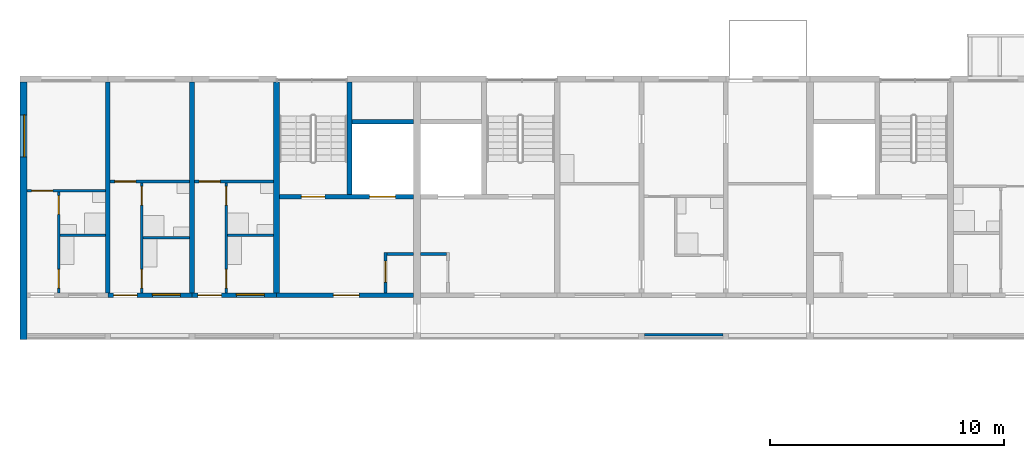
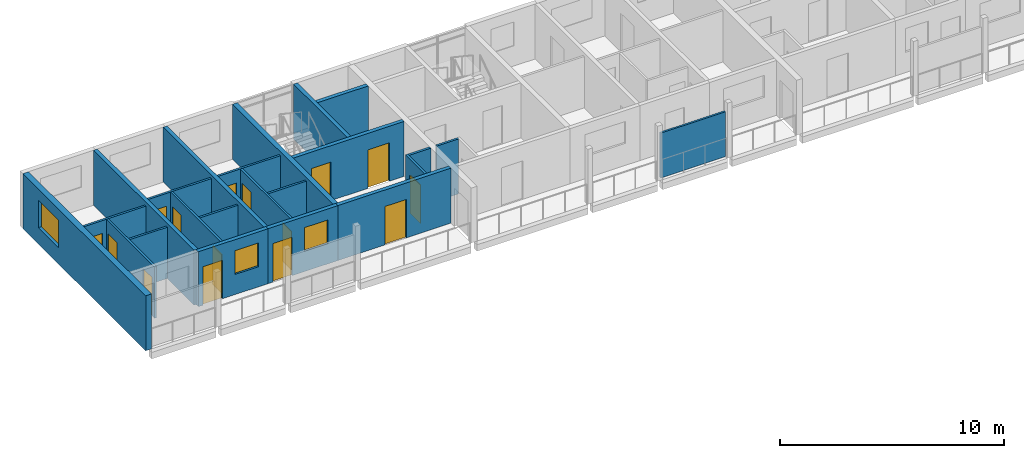
# One storey, part 35 of 98: 23 walls, 15 doors, 3 windows, 18 openings.
"""IFC4 building model written with IfcOpenShell, lengths in metres."""

import ifcopenshell
import ifcopenshell.guid

model = None  # the IFC model being written
_history = None  # IfcOwnerHistory: only IFC2X3 demands one
_inside = {}  # id of a spatial element -> (the spatial element, [elements in it])
_under = {}  # id of a project, library or spatial element -> (it, [spatial elements below it])
_declared = {}  # id of a project -> (the project, [libraries it declares])
_typed = {}  # id of a type object -> (the type object, [elements of that type])
_made_of = {}  # id of a material, layer set ... -> (it, [elements and type objects made of it])


def new_model(schema):
    """Start an empty IFC model of exactly this schema.

    Asked for "IFC4X3", IfcOpenShell would pick the latest addendum, in which some entities
    have other attributes; the version numbers below select the first issue.
    IFC2X3 requires an IfcOwnerHistory on every rooted entity: one is made here for all.
    """
    global model, _history
    if schema == "IFC4X3":
        model = ifcopenshell.file(schema_version=(4, 3, 0, 0))
    else:
        model = ifcopenshell.file(schema=schema)
    _inside.clear()
    _under.clear()
    _declared.clear()
    _typed.clear()
    _made_of.clear()
    _history = None
    if model.schema == "IFC2X3":
        org = make("IfcOrganization", Name="unknown")
        user = make(
            "IfcPersonAndOrganization",
            ThePerson=make("IfcPerson", FamilyName="unknown"),
            TheOrganization=org,
        )
        app = make(
            "IfcApplication",
            ApplicationDeveloper=org,
            Version="unknown",
            ApplicationFullName="unknown",
            ApplicationIdentifier="unknown",
        )
        _history = make(
            "IfcOwnerHistory",
            OwningUser=user,
            OwningApplication=app,
            ChangeAction="ADDED",
            CreationDate=0,
        )
    return model


def make(cls, **values):
    """One entity of the class cls with the attributes given. An attribute that is None is left unset."""
    return model.create_entity(
        cls, **{name: value for name, value in values.items() if value is not None}
    )


def rooted(cls, **values):
    """An entity with a GlobalId (a new one), such as an element, a storey or a relation."""
    return make(cls, GlobalId=ifcopenshell.guid.new(), OwnerHistory=_history, **values)


def si_unit(unit_type, name, prefix=None):
    """IfcSIUnit, for example si_unit("LENGTHUNIT", "METRE", prefix="MILLI")."""
    return make("IfcSIUnit", UnitType=unit_type, Prefix=prefix, Name=name)


def assignment(units):
    """IfcUnitAssignment: the units of a project."""
    return None if units is None else make("IfcUnitAssignment", Units=units)


def point(xyz):
    """IfcCartesianPoint."""
    return None if xyz is None else make("IfcCartesianPoint", Coordinates=xyz)


def direction(xyz):
    """IfcDirection."""
    return None if xyz is None else make("IfcDirection", DirectionRatios=xyz)


def frame(location, z_axis=None, x_axis=None):
    """IfcAxis2Placement3D, a coordinate frame: its origin and axes. An axis left out is left unset."""
    return make(
        "IfcAxis2Placement3D",
        Location=point(location),
        Axis=direction(z_axis),
        RefDirection=direction(x_axis),
    )


def frame_2d(location, x_axis=None):
    """IfcAxis2Placement2D, a coordinate frame in the plane: its origin and x axis."""
    return make(
        "IfcAxis2Placement2D", Location=point(location), RefDirection=direction(x_axis)
    )


def origin():
    """The frame at (0, 0, 0) with its axes left unset."""
    return frame((0.0, 0.0, 0.0))


def place(relative_to, where):
    """IfcLocalPlacement: puts the frame where relative to a parent placement (None: the world)."""
    return make(
        "IfcLocalPlacement", PlacementRelTo=relative_to, RelativePlacement=where
    )


def context(
    kind, dimensions, precision=None, world=None, true_north=None, identifier=None
):
    """IfcGeometricRepresentationContext, for example the 3D "Model" context."""
    return make(
        "IfcGeometricRepresentationContext",
        ContextIdentifier=identifier,
        ContextType=kind,
        CoordinateSpaceDimension=dimensions,
        Precision=precision,
        WorldCoordinateSystem=world,
        TrueNorth=true_north,
    )


def subcontext(parent, identifier, kind, view, scale=None):
    """IfcGeometricRepresentationSubContext, for example "Body" below "Model"."""
    return make(
        "IfcGeometricRepresentationSubContext",
        ContextIdentifier=identifier,
        ContextType=kind,
        ParentContext=parent,
        TargetScale=scale,
        TargetView=view,
    )


def project(units=None, contexts=None):
    """IfcProject with its units and contexts."""
    return rooted(
        "IfcProject",
        Name="project",
        RepresentationContexts=contexts,
        UnitsInContext=assignment(units),
    )


def spatial(cls, under=None, at=None, **own):
    """A site, building, storey or space (cls), placed at a placement, below another one or the project."""
    s = rooted(cls, ObjectPlacement=at, **own)
    if under is not None:
        _under.setdefault(under.id(), (under, []))[1].append(s)
    return s


def profile(cls, at=None, kind="AREA", **sizes):
    """A parametric profile (cls). Its sizes go by their IFC names, for example OverallWidth=200.0."""
    return make(cls, ProfileType=kind, Position=at, **sizes)


def rectangle(**sizes):
    """IfcRectangleProfileDef."""
    return profile("IfcRectangleProfileDef", **sizes)


def extrude(swept, where, along, depth):
    """IfcExtrudedAreaSolid: the profile swept, set in the frame where, extruded along a direction by depth."""
    return make(
        "IfcExtrudedAreaSolid",
        SweptArea=swept,
        Position=where,
        ExtrudedDirection=direction(along),
        Depth=depth,
    )


def shape(context_of_items, identifier, shape_type, items):
    """IfcShapeRepresentation: the items that make up one representation, for example the "Body"."""
    return make(
        "IfcShapeRepresentation",
        ContextOfItems=context_of_items,
        RepresentationIdentifier=identifier,
        RepresentationType=shape_type,
        Items=items,
    )


def material(Name=None, Category=None):
    """IfcMaterial."""
    return make("IfcMaterial", Name=Name, Category=Category)


def layer(
    of_material, thickness, ventilated=None, Name=None, Category=None, Priority=None
):
    """IfcMaterialLayer: one layer of a wall or slab, of a material (None: an air gap)."""
    return make(
        "IfcMaterialLayer",
        Material=of_material,
        LayerThickness=thickness,
        IsVentilated=ventilated,
        Name=Name,
        Category=Category,
        Priority=Priority,
    )


def layer_set(layers, Name=None):
    """IfcMaterialLayerSet."""
    return make("IfcMaterialLayerSet", MaterialLayers=layers, LayerSetName=Name)


def made_of(thing, what):
    """Note that an element or type object is made of a material, layer set ...; save() writes the relation."""
    if what is not None:
        _made_of.setdefault(what.id(), (what, []))[1].append(thing)
    return thing


def type_object(cls, material=None, **own):
    """A type object (cls), such as IfcWallType, which elements share."""
    return made_of(rooted(cls, **own), material)


def element(
    cls,
    number,
    at=None,
    inside=None,
    cuts=None,
    type_object=None,
    material=None,
    context=None,
    identifier="Body",
    shape_type=None,
    held_by="IfcProductDefinitionShape",
    body=None,
    shapes=None,
    **own,
):
    """One element of the class cls, such as IfcWall. Its Tag is "e" and its number.

    at: its placement. inside: the storey or other place that contains it. cuts: it is an
    opening in that element (IfcRelVoidsElement). A single representation is given by context,
    identifier, shape_type and body (its items); several are given by shapes. held_by: the class
    of the entity that holds the representations. save() writes the other relations.
    """
    e = rooted(cls, Tag="e%d" % number, ObjectPlacement=at, **own)
    if body is not None:
        shapes = [shape(context, identifier, shape_type, body)]
    if shapes is not None:
        e.Representation = make(held_by, Representations=shapes)
    if inside is not None:
        _inside.setdefault(inside.id(), (inside, []))[1].append(e)
    if cuts is not None:
        rooted(
            "IfcRelVoidsElement", RelatingBuildingElement=cuts, RelatedOpeningElement=e
        )
    if type_object is not None:
        _typed.setdefault(type_object.id(), (type_object, []))[1].append(e)
    return made_of(e, material)


def fill(opening, filler):
    """IfcRelFillsElement: the door or window that sits in an opening."""
    return rooted(
        "IfcRelFillsElement",
        RelatingOpeningElement=opening,
        RelatedBuildingElement=filler,
    )


def aggregate(whole, parts):
    """IfcRelAggregates: a whole, such as a stair, and the parts it consists of."""
    return rooted("IfcRelAggregates", RelatingObject=whole, RelatedObjects=parts)


def save(model, path):
    """Write the relations noted so far, then the file.

    IfcRelAggregates (storeys below a building ...), IfcRelContainedInSpatialStructure (elements
    in a storey), IfcRelDefinesByType, IfcRelAssociatesMaterial and IfcRelDeclares: one each for
    every whole, place, type object, material and project.
    """
    for whole, parts in _under.values():
        aggregate(whole, parts)
    for where, things in _inside.values():
        rooted(
            "IfcRelContainedInSpatialStructure",
            RelatedElements=things,
            RelatingStructure=where,
        )
    for kind, things in _typed.values():
        rooted("IfcRelDefinesByType", RelatedObjects=things, RelatingType=kind)
    for what, things in _made_of.values():
        rooted("IfcRelAssociatesMaterial", RelatedObjects=things, RelatingMaterial=what)
    for by, libraries in _declared.values():
        rooted("IfcRelDeclares", RelatingContext=by, RelatedDefinitions=libraries)
    model.write(path)


model = new_model("IFC4")

# Units and contexts
model_context = context("Model", 3, precision=1e-05, world=origin(), true_north=direction((0.0, 1.0)))
body_context = subcontext(model_context, "Body", "Model", "MODEL_VIEW")
ifc_project = project(units=[si_unit("LENGTHUNIT", "METRE"), si_unit("AREAUNIT", "SQUARE_METRE"), si_unit("VOLUMEUNIT", "CUBIC_METRE"), si_unit("PLANEANGLEUNIT", "RADIAN"), si_unit("MASSUNIT", "GRAM", prefix="KILO")], contexts=[model_context])

# Site, building, storey
site_placement = place(None, origin())
site = spatial("IfcSite", under=ifc_project, at=site_placement, CompositionType="ELEMENT")
building_placement = place(site_placement, origin())
building = spatial("IfcBuilding", under=site, at=building_placement, Name="Ridgestep Commons", CompositionType="ELEMENT")
storey_placement = place(building_placement, frame((0.0, 0.0, 12.0)))
storey = spatial("IfcBuildingStorey", under=building, at=storey_placement, Name="L04", CompositionType="ELEMENT", Elevation=12.0)

# Wall
ifc_material_1 = material(Name="Concrete C30/37", Category="concrete")
ifc_layer_1 = layer(ifc_material_1, 0.25)
ifc_layer_set_1 = layer_set([ifc_layer_1], Name="Core cross wall 250")
wall_type_1 = type_object("IfcWallType", Name="Core cross wall 250", PredefinedType="SHEAR", material=ifc_layer_set_1)
wall_1_placement = place(storey_placement, frame((22.800048828125, 68.0, 0.0), z_axis=(0.0, 0.0, 1.0), x_axis=(0.0, 1.0, 0.0)))
element("IfcWall", 1, at=wall_1_placement, inside=storey, type_object=wall_type_1, Name="Cross wall B-04-0228", PredefinedType="SHEAR", context=body_context, shape_type="SweptSolid", body=[
    extrude(rectangle(XDim=9.0, YDim=0.25, at=frame_2d((4.5, 0.0))), origin(), (0.0, 0.0, 1.0), 3.0),
])

# Wall, opening, door
ifc_material_2 = material(Name="Concrete C30/37", Category="concrete")
ifc_layer_2 = layer(ifc_material_2, 0.199951171875)
ifc_layer_set_2 = layer_set([ifc_layer_2], Name="Core south wall 200")
wall_type_2 = type_object("IfcWallType", Name="Core south wall 200", PredefinedType="SHEAR", material=ifc_layer_set_2)
wall_2_placement = place(storey_placement, frame((22.800048828125, 67.89990234375, 0.0), z_axis=(0.0, 0.0, 1.0), x_axis=(1.0, 0.0, 0.0)))
wall_2 = element("IfcWall", 2, at=wall_2_placement, inside=storey, type_object=wall_type_2, Name="Core south wall B1C L04", PredefinedType="SHEAR", context=body_context, shape_type="SweptSolid", body=[
    extrude(rectangle(XDim=5.849853515625, YDim=0.199951171875, at=frame_2d((2.9248046875, 0.0))), origin(), (0.0, 0.0, 1.0), 3.0),
])
opening_1_placement = place(wall_2_placement, frame((2.4375, 0.0, 0.0)))
opening_1 = element("IfcOpeningElement", 3, at=opening_1_placement, cuts=wall_2, Name="Opening B1C/04/1", PredefinedType="OPENING", context=body_context, shape_type="SweptSolid", body=[
    extrude(rectangle(XDim=1.10009765625, YDim=2.10009765625, at=frame_2d((0.550048828125, 1.050048828125))), frame((0.0, 0.10986328125, 0.0), z_axis=(0.0, -1.0, 0.0), x_axis=(1.0, 0.0, 0.0)), (0.0, 0.0, 1.0), 0.219970703125),
])
ifc_material_3 = material(Name="Steel fire door", Category="steel")
door_type_1 = type_object("IfcDoorType", Name="Lobby door 1100 x 2100 FD60", OperationType="NOTDEFINED", PredefinedType="DOOR", material=ifc_material_3)
door_1_placement = place(opening_1_placement, origin())
door_1 = element("IfcDoor", 4, at=door_1_placement, inside=storey, type_object=door_type_1, Name="Lobby door B1C/04/1", OperationType="SINGLE_SWING_LEFT", OverallHeight=2.10009765625, OverallWidth=1.10009765625, PredefinedType="DOOR", context=body_context, shape_type="SweptSolid", body=[
    extrude(rectangle(XDim=1.10009765625, YDim=2.10009765625, at=frame_2d((0.550048828125, 1.050048828125))), frame((0.0, 0.02490234375, 0.0), z_axis=(0.0, -1.0, 0.0), x_axis=(1.0, 0.0, 0.0)), (0.0, 0.0, 1.0), 0.050048828125),
])
fill(opening_1, door_1)

ifc_material_4 = material(Name="Concrete C30/37", Category="concrete")
ifc_layer_3 = layer(ifc_material_4, 0.1201171875)
ifc_layer_set_3 = layer_set([ifc_layer_3], Name="Core wall 120")
wall_type_3 = type_object("IfcWallType", Name="Core wall 120", PredefinedType="SHEAR", material=ifc_layer_set_3)
wall_3_placement = place(storey_placement, frame((27.4599609375, 68.0, 0.0), z_axis=(0.0, 0.0, 1.0), x_axis=(0.0, 1.0, 0.0)))
wall_3 = element("IfcWall", 5, at=wall_3_placement, inside=storey, type_object=wall_type_3, Name="Core riser w wall B1C L04", PredefinedType="SHEAR", context=body_context, shape_type="SweptSolid", body=[
    extrude(rectangle(XDim=1.719970703125, YDim=0.1201171875, at=frame_2d((0.85986328125, 0.0))), origin(), (0.0, 0.0, 1.0), 3.0),
])
opening_2_placement = place(wall_3_placement, frame((0.449951171875, 0.0, 0.0)))
opening_2 = element("IfcOpeningElement", 6, at=opening_2_placement, cuts=wall_3, Name="Opening B1C/04/4", PredefinedType="OPENING", context=body_context, shape_type="SweptSolid", body=[
    extrude(rectangle(XDim=0.89990234375, YDim=2.10009765625, at=frame_2d((0.449951171875, 1.050048828125))), frame((0.0, 0.070068359375, 0.0), z_axis=(0.0, -1.0, 0.0), x_axis=(1.0, 0.0, 0.0)), (0.0, 0.0, 1.0), 0.14013671875),
])
ifc_material_5 = material(Name="Steel fire door", Category="steel")
door_type_2 = type_object("IfcDoorType", Name="Riser door 900 x 2100 FD60", OperationType="NOTDEFINED", PredefinedType="DOOR", material=ifc_material_5)
door_2_placement = place(opening_2_placement, origin())
door_2 = element("IfcDoor", 7, at=door_2_placement, inside=storey, type_object=door_type_2, Name="Riser door B1C/04/4", OperationType="SINGLE_SWING_LEFT", OverallHeight=2.10009765625, OverallWidth=0.89990234375, PredefinedType="DOOR", context=body_context, shape_type="SweptSolid", body=[
    extrude(rectangle(XDim=0.89990234375, YDim=2.10009765625, at=frame_2d((0.449951171875, 1.050048828125))), frame((0.0, 0.02490234375, 0.0), z_axis=(0.0, -1.0, 0.0), x_axis=(1.0, 0.0, 0.0)), (0.0, 0.0, 1.0), 0.050048828125),
])
fill(opening_2, door_2)

# Walls
wall_4_placement = place(storey_placement, frame((27.52001953125, 69.659912109375, 0.0), z_axis=(0.0, 0.0, 1.0), x_axis=(1.0, 0.0, 0.0)))
element("IfcWall", 8, at=wall_4_placement, inside=storey, type_object=wall_type_3, Name="Core riser n wall B1C L04", PredefinedType="SHEAR", context=body_context, shape_type="SweptSolid", body=[
    extrude(rectangle(XDim=1.1298828125, YDim=0.1201171875, at=frame_2d((0.56494140625, 0.0))), origin(), (0.0, 0.0, 1.0), 3.0),
])
wall_5_placement = place(storey_placement, frame((28.949951171875, 69.659912109375, 0.0), z_axis=(0.0, 0.0, 1.0), x_axis=(1.0, 0.0, 0.0)))
element("IfcWall", 9, at=wall_5_placement, inside=storey, type_object=wall_type_3, Name="Core riser n wall B2C L04", PredefinedType="SHEAR", context=body_context, shape_type="SweptSolid", body=[
    extrude(rectangle(XDim=1.130126953125, YDim=0.1201171875, at=frame_2d((0.56494140625, 0.0))), origin(), (0.0, 0.0, 1.0), 3.0),
])

# Wall, openings, doors
ifc_material_6 = material(Name="Concrete C30/37", Category="concrete")
ifc_layer_4 = layer(ifc_material_6, 0.199951171875)
ifc_layer_set_4 = layer_set([ifc_layer_4], Name="Core wall 200")
wall_type_4 = type_object("IfcWallType", Name="Core wall 200", PredefinedType="SHEAR", material=ifc_layer_set_4)
wall_6_placement = place(storey_placement, frame((22.925048828125, 72.10009765625, 0.0), z_axis=(0.0, 0.0, 1.0), x_axis=(1.0, 0.0, 0.0)))
wall_6 = element("IfcWall", 10, at=wall_6_placement, inside=storey, type_object=wall_type_4, Name="Core lobby wall B1C L04", PredefinedType="SHEAR", context=body_context, shape_type="SweptSolid", body=[
    extrude(rectangle(XDim=5.724853515625, YDim=0.199951171875, at=frame_2d((2.8623046875, 0.0))), origin(), (0.0, 0.0, 1.0), 3.0),
])
opening_3_placement = place(wall_6_placement, frame((0.949951171875, 0.0, 0.0)))
opening_3 = element("IfcOpeningElement", 11, at=opening_3_placement, cuts=wall_6, Name="Opening B1C/04/2", PredefinedType="OPENING", context=body_context, shape_type="SweptSolid", body=[
    extrude(rectangle(XDim=1.0, YDim=2.10009765625, at=frame_2d((0.5, 1.050048828125))), frame((0.0, 0.10986328125, 0.0), z_axis=(0.0, -1.0, 0.0), x_axis=(1.0, 0.0, 0.0)), (0.0, 0.0, 1.0), 0.219970703125),
])
opening_4_placement = place(wall_6_placement, frame((3.862548828125, 0.0, 0.0)))
opening_4 = element("IfcOpeningElement", 12, at=opening_4_placement, cuts=wall_6, Name="Opening B1C/04/3", PredefinedType="OPENING", context=body_context, shape_type="SweptSolid", body=[
    extrude(rectangle(XDim=1.10009765625, YDim=2.10009765625, at=frame_2d((0.550048828125, 1.050048828125))), frame((0.0, 0.10986328125, 0.0), z_axis=(0.0, -1.0, 0.0), x_axis=(1.0, 0.0, 0.0)), (0.0, 0.0, 1.0), 0.219970703125),
])
ifc_material_7 = material(Name="Stainless steel", Category="steel")
door_type_3 = type_object("IfcDoorType", Name="Lift landing door 1100 x 2100 FD60", OperationType="DOUBLE_DOOR_SLIDING", PredefinedType="DOOR", material=ifc_material_7)
door_3_placement = place(opening_4_placement, origin())
door_3 = element("IfcDoor", 13, at=door_3_placement, inside=storey, type_object=door_type_3, Name="Landing door LD B1C L04", OperationType="DOUBLE_DOOR_SLIDING", OverallHeight=2.10009765625, OverallWidth=1.10009765625, PredefinedType="DOOR", context=body_context, shape_type="SweptSolid", body=[
    extrude(rectangle(XDim=1.10009765625, YDim=2.10009765625, at=frame_2d((0.550048828125, 1.050048828125))), frame((0.0, 0.02490234375, 0.0), z_axis=(0.0, -1.0, 0.0), x_axis=(1.0, 0.0, 0.0)), (0.0, 0.0, 1.0), 0.050048828125),
])
fill(opening_4, door_3)
ifc_material_8 = material(Name="Steel fire door", Category="steel")
door_type_4 = type_object("IfcDoorType", Name="Stair door 1000 x 2100 FD60", OperationType="NOTDEFINED", PredefinedType="DOOR", material=ifc_material_8)
door_4_placement = place(opening_3_placement, origin())
door_4 = element("IfcDoor", 14, at=door_4_placement, inside=storey, type_object=door_type_4, Name="Stair door B1C/04/2", OperationType="SINGLE_SWING_RIGHT", OverallHeight=2.10009765625, OverallWidth=1.0, PredefinedType="DOOR", context=body_context, shape_type="SweptSolid", body=[
    extrude(rectangle(XDim=1.0, YDim=2.10009765625, at=frame_2d((0.5, 1.050048828125))), frame((0.0, 0.02490234375, 0.0), z_axis=(0.0, -1.0, 0.0), x_axis=(1.0, 0.0, 0.0)), (0.0, 0.0, 1.0), 0.050048828125),
])
fill(opening_3, door_4)

# Walls
wall_7_placement = place(storey_placement, frame((25.925048828125, 72.199951171875, 0.0), z_axis=(0.0, 0.0, 1.0), x_axis=(0.0, 1.0, 0.0)))
element("IfcWall", 15, at=wall_7_placement, inside=storey, type_object=wall_type_4, Name="Core stair wall B1C L04", PredefinedType="SHEAR", context=body_context, shape_type="SweptSolid", body=[
    extrude(rectangle(XDim=4.800048828125, YDim=0.199951171875, at=frame_2d((2.39990234375, 0.0))), origin(), (0.0, 0.0, 1.0), 3.0),
])
wall_8_placement = place(storey_placement, frame((26.02490234375, 75.300048828125, 0.0), z_axis=(0.0, 0.0, 1.0), x_axis=(1.0, 0.0, 0.0)))
element("IfcWall", 16, at=wall_8_placement, inside=storey, type_object=wall_type_4, Name="Core duct wall B1C L04", PredefinedType="SHEAR", context=body_context, shape_type="SweptSolid", body=[
    extrude(rectangle(XDim=2.625, YDim=0.199951171875, at=frame_2d((1.3125, 0.0))), origin(), (0.0, 0.0, 1.0), 3.0),
])
ifc_material_9 = material(Name="Precast concrete C40/50", Category="concrete")
ifc_layer_5 = layer(ifc_material_9, 0.199951171875)
ifc_layer_set_5 = layer_set([ifc_layer_5], Name="Cross wall 200")
wall_type_5 = type_object("IfcWallType", Name="Cross wall 200", PredefinedType="SHEAR", material=ifc_layer_set_5)
for number, where, z_axis, x_axis, name in (
    (17, (15.60009765625, 68.0, 0.0), (0.0, 0.0, 1.0), (0.0, 1.0, 0.0), "Cross wall B-04-0156"),
    (18, (19.199951171875, 68.0, 0.0), (0.0, 0.0, 1.0), (0.0, 1.0, 0.0), "Cross wall B-04-0192"),
):
    element("IfcWall", number, at=place(storey_placement, frame(where, z_axis=z_axis, x_axis=x_axis)), inside=storey, type_object=wall_type_5, Name=name, PredefinedType="SHEAR", context=body_context, shape_type="SweptSolid", body=[
        extrude(rectangle(XDim=9.0, YDim=0.199951171875, at=frame_2d((4.5, 0.0))), origin(), (0.0, 0.0, 1.0), 3.0),
    ])

# Wall, opening, window
ifc_material_10 = material(Name="Precast concrete C40/50", Category="concrete")
ifc_layer_6 = layer(ifc_material_10, 0.300048828125)
ifc_layer_set_6 = layer_set([ifc_layer_6], Name="Exposed division wall 300")
wall_type_6 = type_object("IfcWallType", Name="Exposed division wall 300", PredefinedType="SHEAR", material=ifc_layer_set_6)
wall_9_placement = place(storey_placement, frame((12.0, 66.0, 0.0), z_axis=(0.0, 0.0, 1.0), x_axis=(0.0, 1.0, 0.0)))
wall_9 = element("IfcWall", 19, at=wall_9_placement, inside=storey, type_object=wall_type_6, Name="Cross wall B-04-0120", PredefinedType="SHEAR", context=body_context, shape_type="SweptSolid", body=[
    extrude(rectangle(XDim=11.0, YDim=0.300048828125, at=frame_2d((5.5, 0.0))), origin(), (0.0, 0.0, 1.0), 3.0),
])
opening_5_placement = place(wall_9_placement, frame((7.804931640625, 0.0, 0.89990234375)))
opening_5 = element("IfcOpeningElement", 20, at=opening_5_placement, cuts=wall_9, Name="Opening W20", PredefinedType="OPENING", context=body_context, shape_type="SweptSolid", body=[
    extrude(rectangle(XDim=1.800048828125, YDim=1.5, at=frame_2d((0.89990234375, 0.75))), frame((0.0, 0.159912109375, 0.0), z_axis=(0.0, -1.0, 0.0), x_axis=(1.0, 0.0, 0.0)), (0.0, 0.0, 1.0), 0.320068359375),
])
ifc_material_11 = material(Name="Aluminium 6063-T6 and glass", Category="aluminium")
window_type_1 = type_object("IfcWindowType", Name="Flat window 1800 x 1500", PartitioningType="DOUBLE_PANEL_VERTICAL", PredefinedType="WINDOW", material=ifc_material_11)
window_1_placement = place(opening_5_placement, origin())
window_1 = element("IfcWindow", 21, at=window_1_placement, inside=storey, type_object=window_type_1, Name="Window B1-04a 3", OverallHeight=1.5, OverallWidth=1.800048828125, PartitioningType="SINGLE_PANEL", PredefinedType="WINDOW", context=body_context, shape_type="SweptSolid", body=[
    extrude(rectangle(XDim=1.800048828125, YDim=1.5, at=frame_2d((0.89990234375, 0.75))), frame((0.0, 0.0, 0.0), z_axis=(0.0, -1.0, 0.0), x_axis=(1.0, 0.0, 0.0)), (0.0, 0.0, 1.0), 0.06005859375),
])
fill(opening_5, window_1)

# Wall, openings, doors
ifc_material_12 = material(Name="Common brick 110 mm", Category="masonry")
ifc_layer_7 = layer(ifc_material_12, 0.110107421875)
ifc_layer_set_7 = layer_set([ifc_layer_7], Name="Partition 110")
wall_type_7 = type_object("IfcWallType", Name="Partition 110", PredefinedType="PARTITIONING", material=ifc_layer_set_7)
wall_10_placement = place(storey_placement, frame((13.5048828125, 68.0, 0.0), z_axis=(0.0, 0.0, 1.0), x_axis=(0.0, 1.0, 0.0)))
wall_10 = element("IfcWall", 22, at=wall_10_placement, inside=storey, type_object=wall_type_7, Name="Partition B1-04a", PredefinedType="PARTITIONING", context=body_context, shape_type="SweptSolid", body=[
    extrude(rectangle(XDim=4.300048828125, YDim=0.110107421875, at=frame_2d((2.14990234375, 0.0))), origin(), (0.0, 0.0, 1.0), 2.800048828125),
])
opening_6_placement = place(wall_10_placement, frame((0.199951171875, 0.0, 0.0)))
opening_6 = element("IfcOpeningElement", 23, at=opening_6_placement, cuts=wall_10, Name="Opening B1-04a/2", PredefinedType="OPENING", context=body_context, shape_type="SweptSolid", body=[
    extrude(rectangle(XDim=0.800048828125, YDim=2.10009765625, at=frame_2d((0.39990234375, 1.050048828125))), frame((0.0, 0.06494140625, 0.0), z_axis=(0.0, -1.0, 0.0), x_axis=(1.0, 0.0, 0.0)), (0.0, 0.0, 1.0), 0.130126953125),
])
opening_7_placement = place(wall_10_placement, frame((3.35009765625, 0.0, 0.0)))
opening_7 = element("IfcOpeningElement", 24, at=opening_7_placement, cuts=wall_10, Name="Opening B1-04a/3", PredefinedType="OPENING", context=body_context, shape_type="SweptSolid", body=[
    extrude(rectangle(XDim=0.800048828125, YDim=2.10009765625, at=frame_2d((0.39990234375, 1.050048828125))), frame((0.0, 0.06494140625, 0.0), z_axis=(0.0, -1.0, 0.0), x_axis=(1.0, 0.0, 0.0)), (0.0, 0.0, 1.0), 0.130126953125),
])
ifc_material_13 = material(Name="Timber door leaf", Category="wood")
door_type_5 = type_object("IfcDoorType", Name="Internal door 800 x 2100", OperationType="NOTDEFINED", PredefinedType="DOOR", material=ifc_material_13)
door_5_placement = place(opening_6_placement, origin())
door_5 = element("IfcDoor", 25, at=door_5_placement, inside=storey, type_object=door_type_5, Name="Internal door B1-04a/2", OperationType="SINGLE_SWING_RIGHT", OverallHeight=2.10009765625, OverallWidth=0.800048828125, PredefinedType="DOOR", context=body_context, shape_type="SweptSolid", body=[
    extrude(rectangle(XDim=0.800048828125, YDim=2.10009765625, at=frame_2d((0.39990234375, 1.050048828125))), frame((0.0, 0.02490234375, 0.0), z_axis=(0.0, -1.0, 0.0), x_axis=(1.0, 0.0, 0.0)), (0.0, 0.0, 1.0), 0.050048828125),
])
fill(opening_6, door_5)
door_6_placement = place(opening_7_placement, origin())
door_6 = element("IfcDoor", 26, at=door_6_placement, inside=storey, type_object=door_type_5, Name="Internal door B1-04a/3", OperationType="SINGLE_SWING_LEFT", OverallHeight=2.10009765625, OverallWidth=0.800048828125, PredefinedType="DOOR", context=body_context, shape_type="SweptSolid", body=[
    extrude(rectangle(XDim=0.800048828125, YDim=2.10009765625, at=frame_2d((0.39990234375, 1.050048828125))), frame((0.0, 0.02490234375, 0.0), z_axis=(0.0, -1.0, 0.0), x_axis=(1.0, 0.0, 0.0)), (0.0, 0.0, 1.0), 0.050048828125),
])
fill(opening_7, door_6)

# Wall
wall_11_placement = place(storey_placement, frame((13.56005859375, 70.455078125, 0.0), z_axis=(0.0, 0.0, 1.0), x_axis=(1.0, 0.0, 0.0)))
element("IfcWall", 27, at=wall_11_placement, inside=storey, type_object=wall_type_7, Name="Partition B1-04a", PredefinedType="PARTITIONING", context=body_context, shape_type="SweptSolid", body=[
    extrude(rectangle(XDim=1.93994140625, YDim=0.110107421875, at=frame_2d((0.969970703125, 0.0))), origin(), (0.0, 0.0, 1.0), 2.800048828125),
])

# Wall, opening, door
wall_12_placement = place(storey_placement, frame((12.14990234375, 72.35498046875, 0.0), z_axis=(0.0, 0.0, 1.0), x_axis=(1.0, 0.0, 0.0)))
wall_12 = element("IfcWall", 28, at=wall_12_placement, inside=storey, type_object=wall_type_7, Name="Partition B1-04a", PredefinedType="PARTITIONING", context=body_context, shape_type="SweptSolid", body=[
    extrude(rectangle(XDim=3.35009765625, YDim=0.110107421875, at=frame_2d((1.675048828125, 0.0))), origin(), (0.0, 0.0, 1.0), 2.800048828125),
])
opening_8_placement = place(wall_12_placement, frame((0.199951171875, 0.0, 0.0)))
opening_8 = element("IfcOpeningElement", 29, at=opening_8_placement, cuts=wall_12, Name="Opening B1-04a/4", PredefinedType="OPENING", context=body_context, shape_type="SweptSolid", body=[
    extrude(rectangle(XDim=0.89990234375, YDim=2.10009765625, at=frame_2d((0.449951171875, 1.050048828125))), frame((0.0, 0.06494140625, 0.0), z_axis=(0.0, -1.0, 0.0), x_axis=(1.0, 0.0, 0.0)), (0.0, 0.0, 1.0), 0.130126953125),
])
ifc_material_14 = material(Name="Timber door leaf", Category="wood")
door_type_6 = type_object("IfcDoorType", Name="Internal door 900 x 2100", OperationType="NOTDEFINED", PredefinedType="DOOR", material=ifc_material_14)
door_7_placement = place(opening_8_placement, origin())
door_7 = element("IfcDoor", 30, at=door_7_placement, inside=storey, type_object=door_type_6, Name="Internal door B1-04a/4", OperationType="SINGLE_SWING_LEFT", OverallHeight=2.10009765625, OverallWidth=0.89990234375, PredefinedType="DOOR", context=body_context, shape_type="SweptSolid", body=[
    extrude(rectangle(XDim=0.89990234375, YDim=2.10009765625, at=frame_2d((0.449951171875, 1.050048828125))), frame((0.0, 0.02490234375, 0.0), z_axis=(0.0, -1.0, 0.0), x_axis=(1.0, 0.0, 0.0)), (0.0, 0.0, 1.0), 0.050048828125),
])
fill(opening_8, door_7)

# Wall, openings, doors
wall_13_placement = place(storey_placement, frame((17.054931640625, 68.0, 0.0), z_axis=(0.0, 0.0, 1.0), x_axis=(0.0, 1.0, 0.0)))
wall_13 = element("IfcWall", 31, at=wall_13_placement, inside=storey, type_object=wall_type_7, Name="Partition B1-04b", PredefinedType="PARTITIONING", context=body_context, shape_type="SweptSolid", body=[
    extrude(rectangle(XDim=4.699951171875, YDim=0.110107421875, at=frame_2d((2.35009765625, 0.0))), origin(), (0.0, 0.0, 1.0), 2.800048828125),
])
opening_9_placement = place(wall_13_placement, frame((0.199951171875, 0.0, 0.0)))
opening_9 = element("IfcOpeningElement", 32, at=opening_9_placement, cuts=wall_13, Name="Opening B1-04b/2", PredefinedType="OPENING", context=body_context, shape_type="SweptSolid", body=[
    extrude(rectangle(XDim=0.800048828125, YDim=2.10009765625, at=frame_2d((0.39990234375, 1.050048828125))), frame((0.0, 0.06494140625, 0.0), z_axis=(0.0, -1.0, 0.0), x_axis=(1.0, 0.0, 0.0)), (0.0, 0.0, 1.0), 0.130126953125),
])
opening_10_placement = place(wall_13_placement, frame((3.75, 0.0, 0.0)))
opening_10 = element("IfcOpeningElement", 33, at=opening_10_placement, cuts=wall_13, Name="Opening B1-04b/3", PredefinedType="OPENING", context=body_context, shape_type="SweptSolid", body=[
    extrude(rectangle(XDim=0.800048828125, YDim=2.10009765625, at=frame_2d((0.39990234375, 1.050048828125))), frame((0.0, 0.06494140625, 0.0), z_axis=(0.0, -1.0, 0.0), x_axis=(1.0, 0.0, 0.0)), (0.0, 0.0, 1.0), 0.130126953125),
])
door_8_placement = place(opening_9_placement, origin())
door_8 = element("IfcDoor", 34, at=door_8_placement, inside=storey, type_object=door_type_5, Name="Internal door B1-04b/2", OperationType="SINGLE_SWING_RIGHT", OverallHeight=2.10009765625, OverallWidth=0.800048828125, PredefinedType="DOOR", context=body_context, shape_type="SweptSolid", body=[
    extrude(rectangle(XDim=0.800048828125, YDim=2.10009765625, at=frame_2d((0.39990234375, 1.050048828125))), frame((0.0, 0.02490234375, 0.0), z_axis=(0.0, -1.0, 0.0), x_axis=(1.0, 0.0, 0.0)), (0.0, 0.0, 1.0), 0.050048828125),
])
fill(opening_9, door_8)
door_9_placement = place(opening_10_placement, origin())
door_9 = element("IfcDoor", 35, at=door_9_placement, inside=storey, type_object=door_type_5, Name="Internal door B1-04b/3", OperationType="SINGLE_SWING_LEFT", OverallHeight=2.10009765625, OverallWidth=0.800048828125, PredefinedType="DOOR", context=body_context, shape_type="SweptSolid", body=[
    extrude(rectangle(XDim=0.800048828125, YDim=2.10009765625, at=frame_2d((0.39990234375, 1.050048828125))), frame((0.0, 0.02490234375, 0.0), z_axis=(0.0, -1.0, 0.0), x_axis=(1.0, 0.0, 0.0)), (0.0, 0.0, 1.0), 0.050048828125),
])
fill(opening_10, door_9)

# Wall
wall_14_placement = place(storey_placement, frame((17.110107421875, 70.35498046875, 0.0), z_axis=(0.0, 0.0, 1.0), x_axis=(1.0, 0.0, 0.0)))
element("IfcWall", 36, at=wall_14_placement, inside=storey, type_object=wall_type_7, Name="Partition B1-04b", PredefinedType="PARTITIONING", context=body_context, shape_type="SweptSolid", body=[
    extrude(rectangle(XDim=1.989990234375, YDim=0.110107421875, at=frame_2d((0.9951171875, 0.0))), origin(), (0.0, 0.0, 1.0), 2.800048828125),
])

# Wall, opening, door
wall_15_placement = place(storey_placement, frame((15.699951171875, 72.7548828125, 0.0), z_axis=(0.0, 0.0, 1.0), x_axis=(1.0, 0.0, 0.0)))
wall_15 = element("IfcWall", 37, at=wall_15_placement, inside=storey, type_object=wall_type_7, Name="Partition B1-04b", PredefinedType="PARTITIONING", context=body_context, shape_type="SweptSolid", body=[
    extrude(rectangle(XDim=3.400146484375, YDim=0.110107421875, at=frame_2d((1.7001953125, 0.0))), origin(), (0.0, 0.0, 1.0), 2.800048828125),
])
opening_11_placement = place(wall_15_placement, frame((0.199951171875, 0.0, 0.0)))
opening_11 = element("IfcOpeningElement", 38, at=opening_11_placement, cuts=wall_15, Name="Opening B1-04b/4", PredefinedType="OPENING", context=body_context, shape_type="SweptSolid", body=[
    extrude(rectangle(XDim=0.89990234375, YDim=2.10009765625, at=frame_2d((0.449951171875, 1.050048828125))), frame((0.0, 0.06494140625, 0.0), z_axis=(0.0, -1.0, 0.0), x_axis=(1.0, 0.0, 0.0)), (0.0, 0.0, 1.0), 0.130126953125),
])
door_10_placement = place(opening_11_placement, origin())
door_10 = element("IfcDoor", 39, at=door_10_placement, inside=storey, type_object=door_type_6, Name="Internal door B1-04b/4", OperationType="SINGLE_SWING_RIGHT", OverallHeight=2.10009765625, OverallWidth=0.89990234375, PredefinedType="DOOR", context=body_context, shape_type="SweptSolid", body=[
    extrude(rectangle(XDim=0.89990234375, YDim=2.10009765625, at=frame_2d((0.449951171875, 1.050048828125))), frame((0.0, 0.02490234375, 0.0), z_axis=(0.0, -1.0, 0.0), x_axis=(1.0, 0.0, 0.0)), (0.0, 0.0, 1.0), 0.050048828125),
])
fill(opening_11, door_10)

# Wall, openings, doors
wall_16_placement = place(storey_placement, frame((20.655029296875, 68.0, 0.0), z_axis=(0.0, 0.0, 1.0), x_axis=(0.0, 1.0, 0.0)))
wall_16 = element("IfcWall", 40, at=wall_16_placement, inside=storey, type_object=wall_type_7, Name="Partition B1-04c", PredefinedType="PARTITIONING", context=body_context, shape_type="SweptSolid", body=[
    extrude(rectangle(XDim=4.699951171875, YDim=0.110107421875, at=frame_2d((2.35009765625, 0.0))), origin(), (0.0, 0.0, 1.0), 2.800048828125),
])
opening_12_placement = place(wall_16_placement, frame((0.199951171875, 0.0, 0.0)))
opening_12 = element("IfcOpeningElement", 41, at=opening_12_placement, cuts=wall_16, Name="Opening B1-04c/2", PredefinedType="OPENING", context=body_context, shape_type="SweptSolid", body=[
    extrude(rectangle(XDim=0.800048828125, YDim=2.10009765625, at=frame_2d((0.39990234375, 1.050048828125))), frame((0.0, 0.06494140625, 0.0), z_axis=(0.0, -1.0, 0.0), x_axis=(1.0, 0.0, 0.0)), (0.0, 0.0, 1.0), 0.130126953125),
])
opening_13_placement = place(wall_16_placement, frame((3.75, 0.0, 0.0)))
opening_13 = element("IfcOpeningElement", 42, at=opening_13_placement, cuts=wall_16, Name="Opening B1-04c/3", PredefinedType="OPENING", context=body_context, shape_type="SweptSolid", body=[
    extrude(rectangle(XDim=0.800048828125, YDim=2.10009765625, at=frame_2d((0.39990234375, 1.050048828125))), frame((0.0, 0.06494140625, 0.0), z_axis=(0.0, -1.0, 0.0), x_axis=(1.0, 0.0, 0.0)), (0.0, 0.0, 1.0), 0.130126953125),
])
door_11_placement = place(opening_12_placement, origin())
door_11 = element("IfcDoor", 43, at=door_11_placement, inside=storey, type_object=door_type_5, Name="Internal door B1-04c/2", OperationType="SINGLE_SWING_RIGHT", OverallHeight=2.10009765625, OverallWidth=0.800048828125, PredefinedType="DOOR", context=body_context, shape_type="SweptSolid", body=[
    extrude(rectangle(XDim=0.800048828125, YDim=2.10009765625, at=frame_2d((0.39990234375, 1.050048828125))), frame((0.0, 0.02490234375, 0.0), z_axis=(0.0, -1.0, 0.0), x_axis=(1.0, 0.0, 0.0)), (0.0, 0.0, 1.0), 0.050048828125),
])
fill(opening_12, door_11)
door_12_placement = place(opening_13_placement, origin())
door_12 = element("IfcDoor", 44, at=door_12_placement, inside=storey, type_object=door_type_5, Name="Internal door B1-04c/3", OperationType="SINGLE_SWING_LEFT", OverallHeight=2.10009765625, OverallWidth=0.800048828125, PredefinedType="DOOR", context=body_context, shape_type="SweptSolid", body=[
    extrude(rectangle(XDim=0.800048828125, YDim=2.10009765625, at=frame_2d((0.39990234375, 1.050048828125))), frame((0.0, 0.02490234375, 0.0), z_axis=(0.0, -1.0, 0.0), x_axis=(1.0, 0.0, 0.0)), (0.0, 0.0, 1.0), 0.050048828125),
])
fill(opening_13, door_12)

# Wall
wall_17_placement = place(storey_placement, frame((20.7099609375, 70.455078125, 0.0), z_axis=(0.0, 0.0, 1.0), x_axis=(1.0, 0.0, 0.0)))
element("IfcWall", 45, at=wall_17_placement, inside=storey, type_object=wall_type_7, Name="Partition B1-04c", PredefinedType="PARTITIONING", context=body_context, shape_type="SweptSolid", body=[
    extrude(rectangle(XDim=1.965087890625, YDim=0.110107421875, at=frame_2d((0.982421875, 0.0))), origin(), (0.0, 0.0, 1.0), 2.800048828125),
])

# Wall, opening, door
wall_18_placement = place(storey_placement, frame((19.300048828125, 72.7548828125, 0.0), z_axis=(0.0, 0.0, 1.0), x_axis=(1.0, 0.0, 0.0)))
wall_18 = element("IfcWall", 46, at=wall_18_placement, inside=storey, type_object=wall_type_7, Name="Partition B1-04c", PredefinedType="PARTITIONING", context=body_context, shape_type="SweptSolid", body=[
    extrude(rectangle(XDim=3.375, YDim=0.110107421875, at=frame_2d((1.6875, 0.0))), origin(), (0.0, 0.0, 1.0), 2.800048828125),
])
opening_14_placement = place(wall_18_placement, frame((0.199951171875, 0.0, 0.0)))
opening_14 = element("IfcOpeningElement", 47, at=opening_14_placement, cuts=wall_18, Name="Opening B1-04c/4", PredefinedType="OPENING", context=body_context, shape_type="SweptSolid", body=[
    extrude(rectangle(XDim=0.89990234375, YDim=2.10009765625, at=frame_2d((0.449951171875, 1.050048828125))), frame((0.0, 0.06494140625, 0.0), z_axis=(0.0, -1.0, 0.0), x_axis=(1.0, 0.0, 0.0)), (0.0, 0.0, 1.0), 0.130126953125),
])
door_13_placement = place(opening_14_placement, origin())
door_13 = element("IfcDoor", 48, at=door_13_placement, inside=storey, type_object=door_type_6, Name="Internal door B1-04c/4", OperationType="SINGLE_SWING_RIGHT", OverallHeight=2.10009765625, OverallWidth=0.89990234375, PredefinedType="DOOR", context=body_context, shape_type="SweptSolid", body=[
    extrude(rectangle(XDim=0.89990234375, YDim=2.10009765625, at=frame_2d((0.449951171875, 1.050048828125))), frame((0.0, 0.02490234375, 0.0), z_axis=(0.0, -1.0, 0.0), x_axis=(1.0, 0.0, 0.0)), (0.0, 0.0, 1.0), 0.050048828125),
])
fill(opening_14, door_13)

# Wall
ifc_material_15 = material(Name="Precast concrete C30/37", Category="concrete")
ifc_layer_8 = layer(ifc_material_15, 0.10009765625)
ifc_layer_set_8 = layer_set([ifc_layer_8], Name="Perforated gallery screen 3350 x 2450 x 100")
wall_type_8 = type_object("IfcWallType", Name="Perforated gallery screen 3350 x 2450 x 100", PredefinedType="SOLIDWALL", material=ifc_layer_set_8)
wall_19_placement = place(storey_placement, frame((38.52490234375, 66.199951171875, 0.0), z_axis=(0.0, 0.0, 1.0), x_axis=(1.0, 0.0, 0.0)))
element("IfcWall", 49, at=wall_19_placement, inside=storey, type_object=wall_type_8, Name="Gallery screen B2T2 04", PredefinedType="SOLIDWALL", context=body_context, shape_type="SweptSolid", body=[
    extrude(rectangle(XDim=3.35009765625, YDim=0.10009765625, at=frame_2d((1.675048828125, 0.0))), origin(), (0.0, 0.0, 1.0), 2.449951171875),
])

# Wall, openings, door, window
ifc_material_16 = material(Name="Precast concrete C40/50", Category="concrete")
ifc_layer_9 = layer(ifc_material_16, 0.199951171875)
ifc_layer_set_9 = layer_set([ifc_layer_9], Name="South facade panel 200")
wall_type_9 = type_object("IfcWallType", Name="South facade panel 200", PredefinedType="SOLIDWALL", material=ifc_layer_set_9)
wall_20_placement = place(storey_placement, frame((15.60009765625, 67.89990234375, 0.0), z_axis=(0.0, 0.0, 1.0), x_axis=(1.0, 0.0, 0.0)))
wall_20 = element("IfcWall", 50, at=wall_20_placement, inside=storey, type_object=wall_type_9, Name="South panel B1T2 L04", PredefinedType="SOLIDWALL", context=body_context, shape_type="SweptSolid", body=[
    extrude(rectangle(XDim=3.599853515625, YDim=0.199951171875, at=frame_2d((1.7998046875, 0.0))), origin(), (0.0, 0.0, 1.0), 3.0),
])
opening_15_placement = place(wall_20_placement, frame((1.905029296875, 0.0, 1.10009765625)))
opening_15 = element("IfcOpeningElement", 51, at=opening_15_placement, cuts=wall_20, Name="Opening W08", PredefinedType="OPENING", context=body_context, shape_type="SweptSolid", body=[
    extrude(rectangle(XDim=1.199951171875, YDim=1.300048828125, at=frame_2d((0.60009765625, 0.64990234375))), frame((0.0, 0.10986328125, 0.0), z_axis=(0.0, -1.0, 0.0), x_axis=(1.0, 0.0, 0.0)), (0.0, 0.0, 1.0), 0.219970703125),
])
opening_16_placement = place(wall_20_placement, frame((0.25, 0.0, 0.0)))
opening_16 = element("IfcOpeningElement", 52, at=opening_16_placement, cuts=wall_20, Name="Opening B1-04b/1", PredefinedType="OPENING", context=body_context, shape_type="SweptSolid", body=[
    extrude(rectangle(XDim=1.0, YDim=2.10009765625, at=frame_2d((0.5, 1.050048828125))), frame((0.0, 0.10986328125, 0.0), z_axis=(0.0, -1.0, 0.0), x_axis=(1.0, 0.0, 0.0)), (0.0, 0.0, 1.0), 0.219970703125),
])
ifc_material_17 = material(Name="Timber door leaf", Category="wood")
door_type_7 = type_object("IfcDoorType", Name="Flat entrance door 1000 x 2100 FD30S", OperationType="NOTDEFINED", PredefinedType="DOOR", material=ifc_material_17)
door_14_placement = place(opening_16_placement, origin())
door_14 = element("IfcDoor", 53, at=door_14_placement, inside=storey, type_object=door_type_7, Name="Flat entrance door B1-04b/1", OperationType="SINGLE_SWING_LEFT", OverallHeight=2.10009765625, OverallWidth=1.0, PredefinedType="DOOR", context=body_context, shape_type="SweptSolid", body=[
    extrude(rectangle(XDim=1.0, YDim=2.10009765625, at=frame_2d((0.5, 1.050048828125))), frame((0.0, 0.02490234375, 0.0), z_axis=(0.0, -1.0, 0.0), x_axis=(1.0, 0.0, 0.0)), (0.0, 0.0, 1.0), 0.050048828125),
])
fill(opening_16, door_14)
ifc_material_18 = material(Name="Aluminium 6063-T6 and glass", Category="aluminium")
window_type_2 = type_object("IfcWindowType", Name="Flat window 1200 x 1300", PartitioningType="SINGLE_PANEL", PredefinedType="WINDOW", material=ifc_material_18)
window_2_placement = place(opening_15_placement, origin())
window_2 = element("IfcWindow", 54, at=window_2_placement, inside=storey, type_object=window_type_2, Name="Window B1-04b 1", OverallHeight=1.300048828125, OverallWidth=1.199951171875, PartitioningType="SINGLE_PANEL", PredefinedType="WINDOW", context=body_context, shape_type="SweptSolid", body=[
    extrude(rectangle(XDim=1.199951171875, YDim=1.300048828125, at=frame_2d((0.60009765625, 0.64990234375))), frame((0.0, 0.06005859375, 0.0), z_axis=(0.0, -1.0, 0.0), x_axis=(1.0, 0.0, 0.0)), (0.0, 0.0, 1.0), 0.06005859375),
])
fill(opening_15, window_2)

wall_21_placement = place(storey_placement, frame((19.199951171875, 67.89990234375, 0.0), z_axis=(0.0, 0.0, 1.0), x_axis=(1.0, 0.0, 0.0)))
wall_21 = element("IfcWall", 55, at=wall_21_placement, inside=storey, type_object=wall_type_9, Name="South panel B1T3 L04", PredefinedType="SOLIDWALL", context=body_context, shape_type="SweptSolid", body=[
    extrude(rectangle(XDim=3.60009765625, YDim=0.199951171875, at=frame_2d((1.800048828125, 0.0))), origin(), (0.0, 0.0, 1.0), 3.0),
])
opening_17_placement = place(wall_21_placement, frame((1.892578125, 0.0, 1.10009765625)))
opening_17 = element("IfcOpeningElement", 56, at=opening_17_placement, cuts=wall_21, Name="Opening W08", PredefinedType="OPENING", context=body_context, shape_type="SweptSolid", body=[
    extrude(rectangle(XDim=1.199951171875, YDim=1.300048828125, at=frame_2d((0.60009765625, 0.64990234375))), frame((0.0, 0.10986328125, 0.0), z_axis=(0.0, -1.0, 0.0), x_axis=(1.0, 0.0, 0.0)), (0.0, 0.0, 1.0), 0.219970703125),
])
opening_18_placement = place(wall_21_placement, frame((0.25, 0.0, 0.0)))
opening_18 = element("IfcOpeningElement", 57, at=opening_18_placement, cuts=wall_21, Name="Opening B1-04c/1", PredefinedType="OPENING", context=body_context, shape_type="SweptSolid", body=[
    extrude(rectangle(XDim=1.0, YDim=2.10009765625, at=frame_2d((0.5, 1.050048828125))), frame((0.0, 0.10986328125, 0.0), z_axis=(0.0, -1.0, 0.0), x_axis=(1.0, 0.0, 0.0)), (0.0, 0.0, 1.0), 0.219970703125),
])
door_15_placement = place(opening_18_placement, origin())
door_15 = element("IfcDoor", 58, at=door_15_placement, inside=storey, type_object=door_type_7, Name="Flat entrance door B1-04c/1", OperationType="SINGLE_SWING_LEFT", OverallHeight=2.10009765625, OverallWidth=1.0, PredefinedType="DOOR", context=body_context, shape_type="SweptSolid", body=[
    extrude(rectangle(XDim=1.0, YDim=2.10009765625, at=frame_2d((0.5, 1.050048828125))), frame((0.0, 0.02490234375, 0.0), z_axis=(0.0, -1.0, 0.0), x_axis=(1.0, 0.0, 0.0)), (0.0, 0.0, 1.0), 0.050048828125),
])
fill(opening_18, door_15)
window_3_placement = place(opening_17_placement, origin())
window_3 = element("IfcWindow", 59, at=window_3_placement, inside=storey, type_object=window_type_2, Name="Window B1-04c 1", OverallHeight=1.300048828125, OverallWidth=1.199951171875, PartitioningType="SINGLE_PANEL", PredefinedType="WINDOW", context=body_context, shape_type="SweptSolid", body=[
    extrude(rectangle(XDim=1.199951171875, YDim=1.300048828125, at=frame_2d((0.60009765625, 0.64990234375))), frame((0.0, 0.06005859375, 0.0), z_axis=(0.0, -1.0, 0.0), x_axis=(1.0, 0.0, 0.0)), (0.0, 0.0, 1.0), 0.06005859375),
])
fill(opening_17, window_3)

save(model, "model.ifc")
